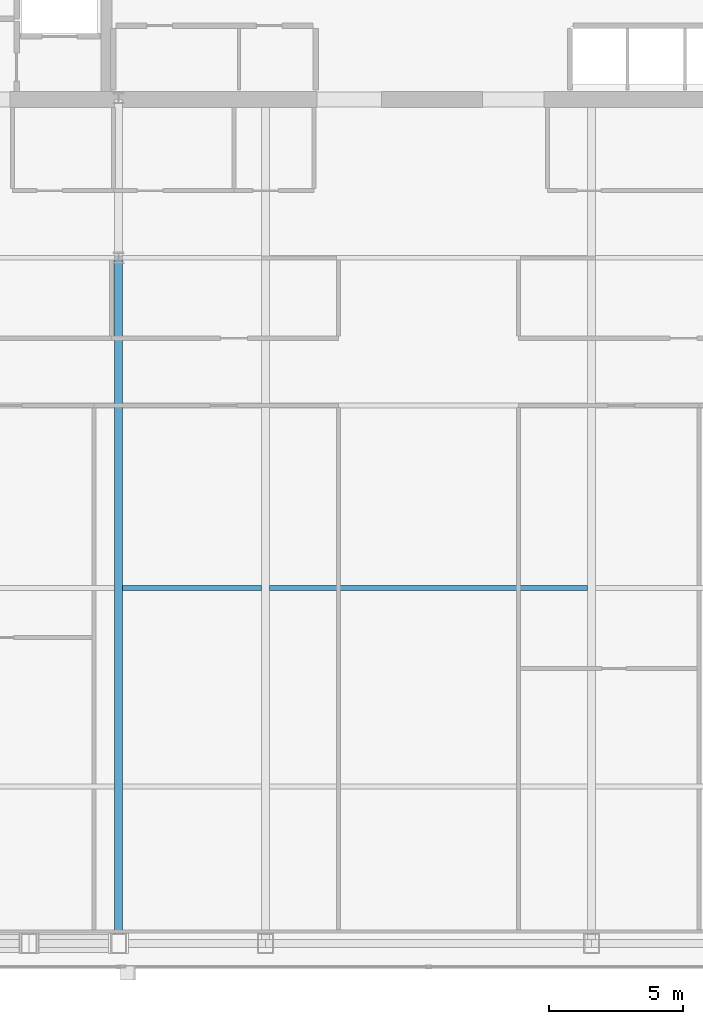
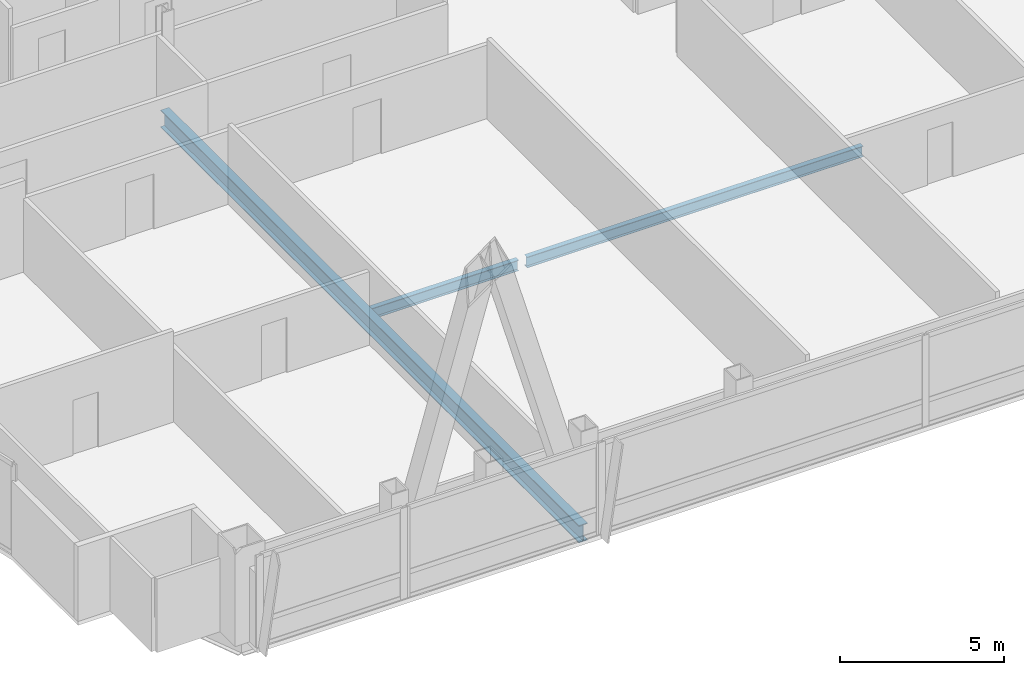
# One storey, part 9 of 31: 3 beams.
"""IFC4 building model written with IfcOpenShell, lengths in metres."""

from ifc_helpers import new_model, si_unit, direction, frame, origin, origin_2d, place, context, subcontext, project, spatial, i_section, extrude, material, material_profile, profile_set, type_object, element, save


model = new_model("IFC4")

# Units and contexts
model_context = context("Model", 3, precision=1e-05, world=origin(), true_north=direction((0.0, 1.0)))
body_context = subcontext(model_context, "Body", "Model", "MODEL_VIEW")
ifc_project = project(units=[si_unit("LENGTHUNIT", "METRE"), si_unit("AREAUNIT", "SQUARE_METRE"), si_unit("VOLUMEUNIT", "CUBIC_METRE"), si_unit("PLANEANGLEUNIT", "RADIAN"), si_unit("MASSUNIT", "GRAM", prefix="KILO")], contexts=[model_context])

# Site, building, storey
site_placement = place(None, origin())
site = spatial("IfcSite", under=ifc_project, at=site_placement, CompositionType="ELEMENT")
building_placement = place(site_placement, origin())
building = spatial("IfcBuilding", under=site, at=building_placement, Name="Khoronbel Lancet Exchange", CompositionType="ELEMENT")
storey_placement = place(building_placement, frame((0.0, 0.0, 261.800048828125)))
storey = spatial("IfcBuildingStorey", under=building, at=storey_placement, Name="L67", CompositionType="ELEMENT", Elevation=261.800048828125)

# Beams
ifc_material = material(Name="Steel S355", Category="steel")
ifc_material_profile_1 = material_profile(ifc_material, i_section(OverallWidth=0.300048828125, OverallDepth=0.64990234375, WebThickness=0.01611328125, FlangeThickness=0.031005859375, at=origin_2d()), Name="HEB 650")
ifc_profile_set_1 = profile_set([ifc_material_profile_1], Name="Steel S355")
beam_type_1 = type_object("IfcBeamType", Name="BM-BG4", PredefinedType="BEAM", material=ifc_profile_set_1)
beam_1_placement = place(storey_placement, frame((24.89990234375, 10.14990234375, -0.485107421875), z_axis=(0.0, 1.0, 0.0), x_axis=(-1.0, 0.0, 0.0)))
element("IfcBeam", 1, at=beam_1_placement, inside=storey, type_object=beam_type_1, Name="Level L67 south primary girder GS2", PredefinedType="BEAM", context=body_context, shape_type="SweptSolid", body=[
    extrude(i_section(OverallWidth=0.300048828125, OverallDepth=0.64990234375, WebThickness=0.01611328125, FlangeThickness=0.031005859375, at=origin_2d()), origin(), (0.0, 0.0, 1.0), 25.550048828125),
])
ifc_material_profile_2 = material_profile(ifc_material, i_section(OverallWidth=0.179931640625, OverallDepth=0.39990234375, WebThickness=0.008544921875, FlangeThickness=0.013427734375, at=origin_2d()), Name="IPE 400")
ifc_profile_set_2 = profile_set([ifc_material_profile_2], Name="Steel S355")
beam_type_2 = type_object("IfcBeamType", Name="BM-BJ5", PredefinedType="JOIST", material=ifc_profile_set_2)
beam_2_placement = place(storey_placement, frame((25.050048828125, 23.39990234375, -0.360107421875), z_axis=(1.0, 0.0, 0.0), x_axis=(0.0, 1.0, 0.0)))
element("IfcBeam", 2, at=beam_2_placement, inside=storey, type_object=beam_type_2, Name="Level L67 secondary composite joist J07", PredefinedType="JOIST", context=body_context, shape_type="SweptSolid", body=[
    extrude(i_section(OverallWidth=0.179931640625, OverallDepth=0.39990234375, WebThickness=0.008544921875, FlangeThickness=0.013427734375, at=origin_2d()), origin(), (0.0, 0.0, 1.0), 5.175048828125),
])
beam_3_placement = place(storey_placement, frame((30.52490234375, 23.39990234375, -0.360107421875), z_axis=(1.0, 0.0, 0.0), x_axis=(0.0, 1.0, 0.0)))
element("IfcBeam", 3, at=beam_3_placement, inside=storey, type_object=beam_type_2, Name="Level L67 secondary composite joist J08", PredefinedType="JOIST", context=body_context, shape_type="SweptSolid", body=[
    extrude(i_section(OverallWidth=0.179931640625, OverallDepth=0.39990234375, WebThickness=0.008544921875, FlangeThickness=0.013427734375, at=origin_2d()), origin(), (0.0, 0.0, 1.0), 11.85009765625),
])

save(model, "model.ifc")
